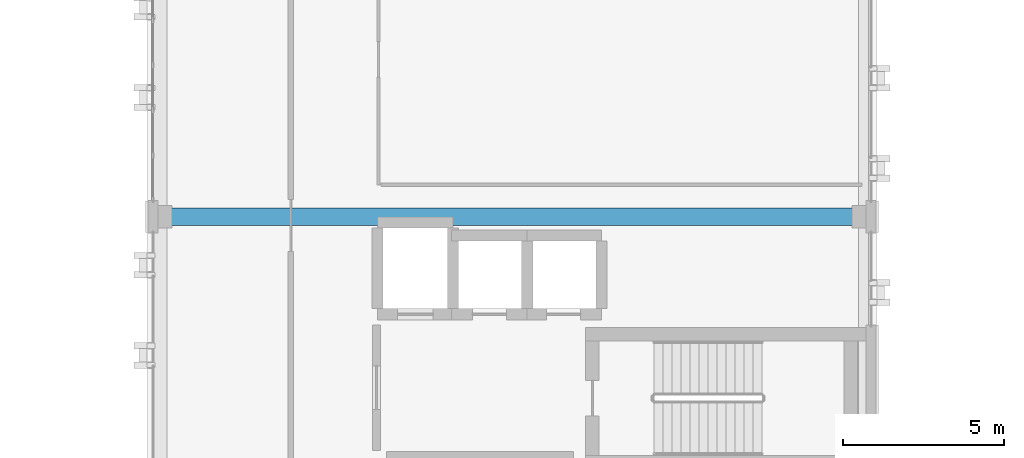
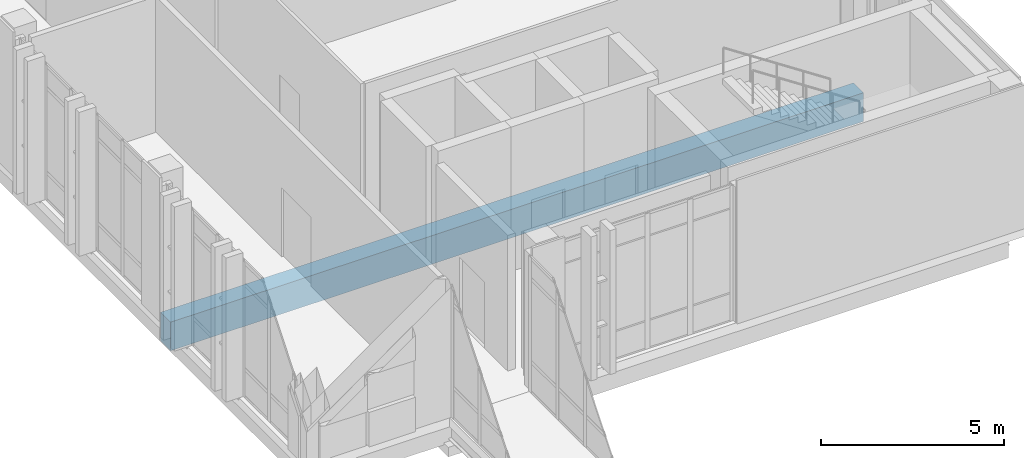
# One storey, part 60 of 189: 1 beam.
"""IFC4 building model written with IfcOpenShell, lengths in metres."""

from ifc_helpers import new_model, si_unit, direction, frame, origin, origin_2d, place, context, subcontext, project, spatial, rectangle, extrude, material, material_profile, profile_set, type_object, element, save


model = new_model("IFC4")

# Units and contexts
model_context = context("Model", 3, precision=1e-05, world=origin(), true_north=direction((0.0, 1.0)))
body_context = subcontext(model_context, "Body", "Model", "MODEL_VIEW")
ifc_project = project(units=[si_unit("LENGTHUNIT", "METRE"), si_unit("AREAUNIT", "SQUARE_METRE"), si_unit("VOLUMEUNIT", "CUBIC_METRE"), si_unit("PLANEANGLEUNIT", "RADIAN"), si_unit("MASSUNIT", "GRAM", prefix="KILO")], contexts=[model_context])

# Site, building, storey
site_placement = place(None, origin())
site = spatial("IfcSite", under=ifc_project, at=site_placement, CompositionType="ELEMENT")
building_placement = place(site_placement, origin())
building = spatial("IfcBuilding", under=site, at=building_placement, Name="Qalavern Law Courts", CompositionType="ELEMENT")
storey_placement = place(building_placement, frame((0.0, 0.0, 5.39990234375)))
storey = spatial("IfcBuildingStorey", under=building, at=storey_placement, Name="L01", CompositionType="ELEMENT", Elevation=5.39990234375)

# Beam
ifc_material = material(Name="Concrete C40/50", Category="concrete")
ifc_material_profile = material_profile(ifc_material, rectangle(XDim=0.550048828125, YDim=0.949951171875, at=origin_2d()), Name="RC 550x950")
ifc_profile_set = profile_set([ifc_material_profile], Name="Concrete C40/50")
beam_type = type_object("IfcBeamType", Name="STR-BM-RC550x950", PredefinedType="BEAM", material=ifc_profile_set)
beam_placement = place(storey_placement, frame((84.60009765625, 49.39990234375, -0.77490234375), z_axis=(1.0, 0.0, 0.0), x_axis=(0.0, 1.0, 0.0)))
element("IfcBeam", 1, at=beam_placement, inside=storey, type_object=beam_type, Name="V4 X-beam 2-1 L01", PredefinedType="BEAM", context=body_context, shape_type="SweptSolid", body=[
    extrude(rectangle(XDim=0.550048828125, YDim=0.949951171875, at=origin_2d()), origin(), (0.0, 0.0, 1.0), 21.7998046875),
])

save(model, "model.ifc")
